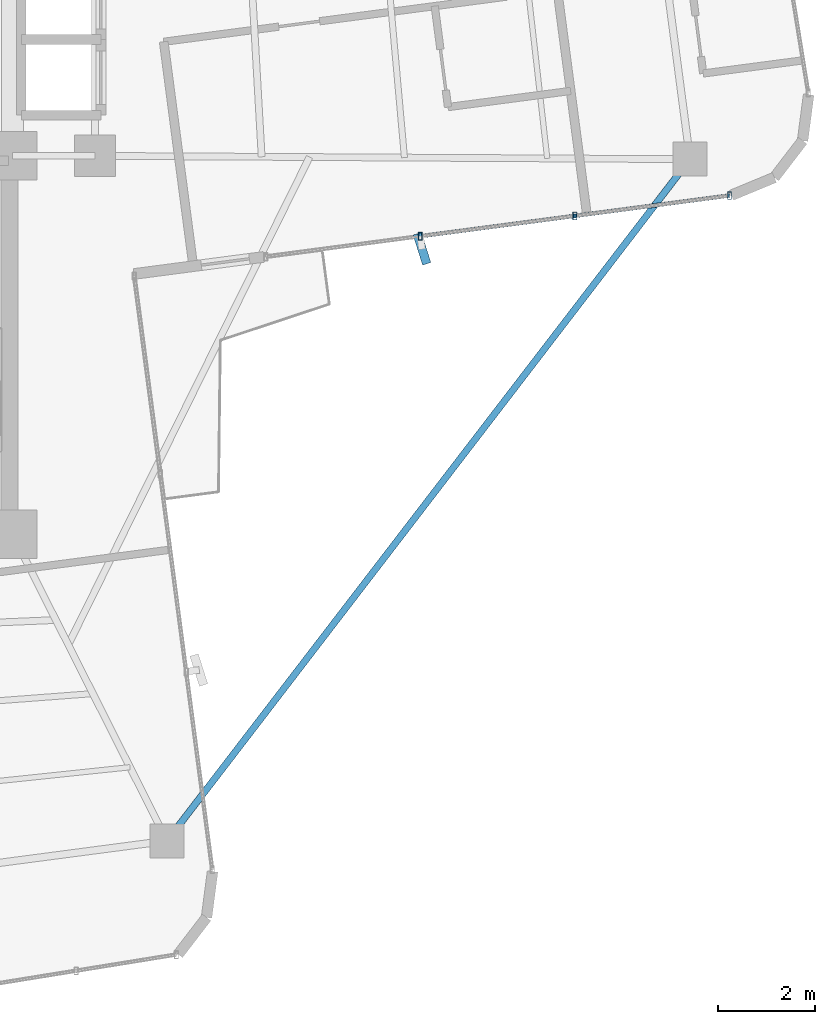
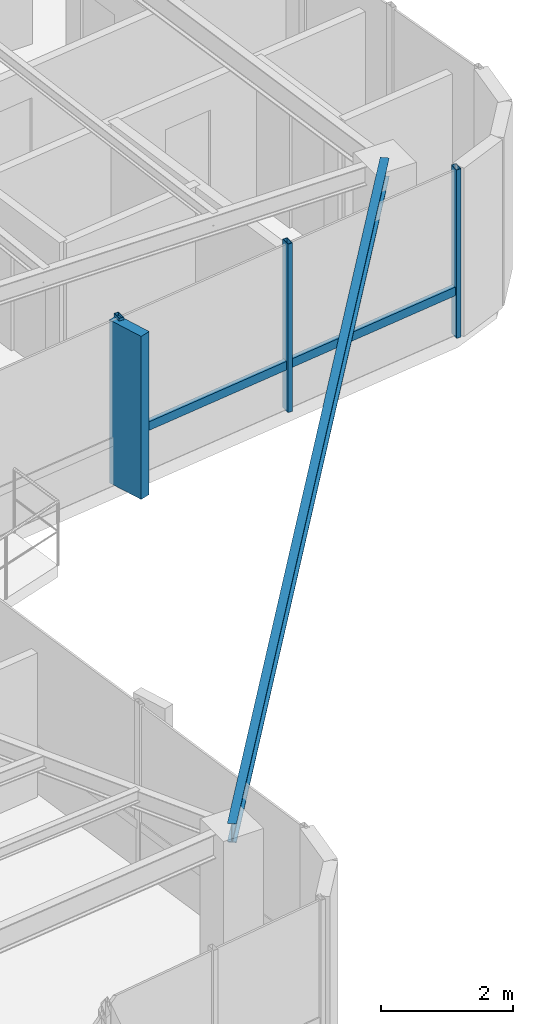
# One storey, part 12 of 22: 6 members, 1 beam, 1 element without a shape of its own.
"""IFC4 building model written with IfcOpenShell, lengths in metres."""

from ifc_helpers import new_model, si_unit, direction, frame, origin, origin_2d, place, context, subcontext, project, spatial, rectangle, hollow_rectangle, i_section, extrude, source, transform, mapped, material, material_profile, profile_set, type_object, element, aggregate, save


model = new_model("IFC4")

# Units and contexts
model_context = context("Model", 3, precision=1e-05, world=origin(), true_north=direction((0.0, 1.0)))
body_context = subcontext(model_context, "Body", "Model", "MODEL_VIEW")
ifc_project = project(units=[si_unit("LENGTHUNIT", "METRE"), si_unit("AREAUNIT", "SQUARE_METRE"), si_unit("VOLUMEUNIT", "CUBIC_METRE"), si_unit("PLANEANGLEUNIT", "RADIAN"), si_unit("MASSUNIT", "GRAM", prefix="KILO")], contexts=[model_context])

# Site, building, storey
site_placement = place(None, origin())
site = spatial("IfcSite", under=ifc_project, at=site_placement, CompositionType="ELEMENT")
building_placement = place(site_placement, origin())
building = spatial("IfcBuilding", under=site, at=building_placement, Name="Sahyath Konkavel Grand Hotel", CompositionType="ELEMENT")
storey_placement = place(building_placement, frame((0.0, 0.0, 244.5)))
storey = spatial("IfcBuildingStorey", under=building, at=storey_placement, Name="L68", CompositionType="ELEMENT", Elevation=244.5)

# Beam
ifc_material_1 = material(Name="Steel E350", Category="steel")
ifc_material_profile_1 = material_profile(ifc_material_1, i_section(OverallWidth=0.139892578125, OverallDepth=0.35009765625, WebThickness=0.008056640625, FlangeThickness=0.01416015625, FilletRadius=0.013916015625, at=origin_2d()), Name="ISMB 350")
ifc_profile_set_1 = profile_set([ifc_material_profile_1], Name="Steel E350")
beam_type = type_object("IfcBeamType", Name="BM-ISMB350", PredefinedType="BEAM", material=ifc_profile_set_1)
shared_shape_1 = source(origin(), body_context, "Body", "SweptSolid", [
    extrude(i_section(OverallWidth=0.139892578125, OverallDepth=0.35009765625, WebThickness=0.008056640625, FlangeThickness=0.01416015625, FilletRadius=0.013916015625, at=origin_2d()), origin(), (0.0, 0.0, 1.0), 17.71435546875),
])
beam_placement = place(storey_placement, frame((17.767333984375, -2.468994140625, 2.93505859375), z_axis=(-0.608766540595, -0.793349418007, 0.0), x_axis=(0.793349418007, -0.608766540595, 0.0)))
element("IfcBeam", 1, at=beam_placement, inside=storey, type_object=beam_type, Name="L68 Re-Entrant Tie Beam SE", PredefinedType="BEAM", context=body_context, shape_type="MappedRepresentation", body=[
    mapped(shared_shape_1, transform((0.0, 0.0, 0.0), scale=1.0)),
])

# Curtain wall, members
ifc_material_2 = material(Name="Anodised Bronze Aluminium & Low-E Glazing", Category="aluminium")
curtain_wall_type = type_object("IfcCurtainWallType", Name="CW-ZONE4", PredefinedType="NOTDEFINED", material=ifc_material_2)
curtain_wall_placement = place(storey_placement, origin())
curtain_wall = element("IfcCurtainWall", 2, at=curtain_wall_placement, inside=storey, type_object=curtain_wall_type, Name="L68 Unitised Curtain Wall F0", PredefinedType="NOTDEFINED")
ifc_material_3 = material(Name="Warm Buff Sandstone Cladding on Concrete C50/60", Category="masonry")
ifc_material_profile_2 = material_profile(ifc_material_3, rectangle(XDim=0.179931640625, YDim=0.64990234375, at=origin_2d()), Name="FIN 180x650")
ifc_profile_set_2 = profile_set([ifc_material_profile_2], Name="Warm Buff Sandstone Cladding on Concrete C50/60")
member_type_1 = type_object("IfcMemberType", Name="FIN-SANDSTONE-650", PredefinedType="MULLION", material=ifc_profile_set_2)
shared_shape_2 = source(origin(), body_context, "Body", "SweptSolid", [
    extrude(rectangle(XDim=0.179931640625, YDim=0.64990234375, at=origin_2d()), origin(), (0.0, 0.0, 1.0), 3.010009765625),
])
member_1_placement = place(storey_placement, frame((12.240478515625, -4.31640625, 0.050048828125), z_axis=(0.0, 0.0, 1.0), x_axis=(0.953032216634, 0.302868938746, 0.0)))
member_1 = element("IfcMember", 3, at=member_1_placement, type_object=member_type_1, Name="L68 Sandstone Vertical Solar Fin FIN F0-1", PredefinedType="MULLION", context=body_context, shape_type="MappedRepresentation", body=[
    mapped(shared_shape_2, transform((0.0, 0.0, 0.0), scale=1.0)),
])
ifc_material_4 = material(Name="Anodised Bronze Aluminium", Category="aluminium")
ifc_material_profile_3 = material_profile(ifc_material_4, hollow_rectangle(XDim=0.080078125, YDim=0.159912109375, WallThickness=0.006103515625, at=origin_2d()), Name="RHS 160x80x6")
ifc_profile_set_3 = profile_set([ifc_material_profile_3], Name="Anodised Bronze Aluminium")
member_type_2 = type_object("IfcMemberType", Name="CW-MUL-160", PredefinedType="MULLION", material=ifc_profile_set_3)
shared_shape_3 = source(origin(), body_context, "Body", "SweptSolid", [
    extrude(hollow_rectangle(XDim=0.080078125, YDim=0.159912109375, WallThickness=0.006103515625, at=origin_2d()), origin(), (0.0, 0.0, 1.0), 3.110107421875),
])
member_2_placement = place(storey_placement, frame((12.20654296875, -4.05859375, 0.0), z_axis=(0.0, 0.0, 1.0), x_axis=(1.0, 0.0, 0.0)))
member_2 = element("IfcMember", 4, at=member_2_placement, type_object=member_type_2, Name="L68 Curtain Wall Mullion F0-1", PredefinedType="MULLION", context=body_context, shape_type="MappedRepresentation", body=[
    mapped(shared_shape_3, transform((0.0, 0.0, 0.0), scale=1.0)),
])
member_3_placement = place(storey_placement, frame((15.394287109375, -3.638916015625, 0.0), z_axis=(0.0, 0.0, 1.0), x_axis=(1.0, 0.0, 0.0)))
member_3 = element("IfcMember", 5, at=member_3_placement, type_object=member_type_2, Name="L68 Curtain Wall Mullion F0-2", PredefinedType="MULLION", context=body_context, shape_type="MappedRepresentation", body=[
    mapped(shared_shape_3, transform((0.0, 0.0, 0.0), scale=1.0)),
])
member_4_placement = place(storey_placement, frame((18.58203125, -3.218994140625, 0.0), z_axis=(0.0, 0.0, 1.0), x_axis=(1.0, 0.0, 0.0)))
member_4 = element("IfcMember", 6, at=member_4_placement, type_object=member_type_2, Name="L68 Curtain Wall Mullion F0-3", PredefinedType="MULLION", context=body_context, shape_type="MappedRepresentation", body=[
    mapped(shared_shape_3, transform((0.0, 0.0, 0.0), scale=1.0)),
])
ifc_material_profile_4 = material_profile(ifc_material_4, hollow_rectangle(XDim=0.080078125, YDim=0.159912109375, WallThickness=0.006103515625, at=origin_2d()), Name="RHS 160x80x6")
ifc_profile_set_4 = profile_set([ifc_material_profile_4], Name="Anodised Bronze Aluminium")
member_type_3 = type_object("IfcMemberType", Name="CW-TRN-160", PredefinedType="USERDEFINED", material=ifc_profile_set_4)
shared_shape_4 = source(origin(), body_context, "Body", "SweptSolid", [
    extrude(hollow_rectangle(XDim=0.080078125, YDim=0.159912109375, WallThickness=0.006103515625, at=origin_2d()), origin(), (0.0, 0.0, 1.0), 3.21533203125),
])
member_5_placement = place(storey_placement, frame((12.20654296875, -4.05859375, 0.85009765625), z_axis=(0.9914447303, 0.130527187822, 0.0), x_axis=(-0.130527187822, 0.9914447303, 0.0)))
member_5 = element("IfcMember", 7, at=member_5_placement, type_object=member_type_3, Name="L68 Curtain Wall Transom F0-1-spandrel", ObjectType="TRANSOM", PredefinedType="USERDEFINED", context=body_context, shape_type="MappedRepresentation", body=[
    mapped(shared_shape_4, transform((0.0, 0.0, 0.0), scale=1.0)),
])
member_6_placement = place(storey_placement, frame((15.394287109375, -3.638916015625, 0.85009765625), z_axis=(0.991434901184, 0.130601825078, 0.0), x_axis=(-0.130601825078, 0.991434901184, 0.0)))
member_6 = element("IfcMember", 8, at=member_6_placement, type_object=member_type_3, Name="L68 Curtain Wall Transom F0-2-spandrel", ObjectType="TRANSOM", PredefinedType="USERDEFINED", context=body_context, shape_type="MappedRepresentation", body=[
    mapped(shared_shape_4, transform((0.0, 0.0, 0.0), scale=1.0)),
])
aggregate(curtain_wall, [member_2, member_1, member_3, member_4, member_5, member_6])

save(model, "model.ifc")
